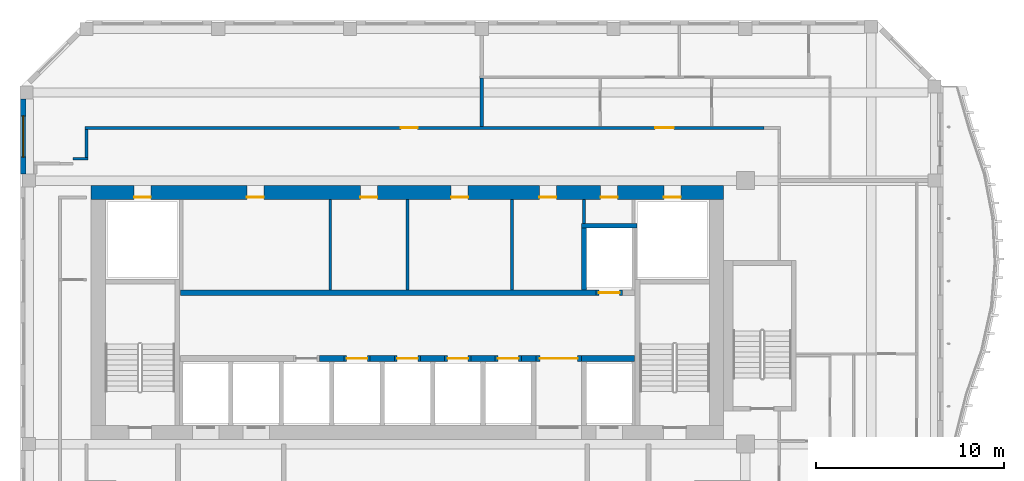
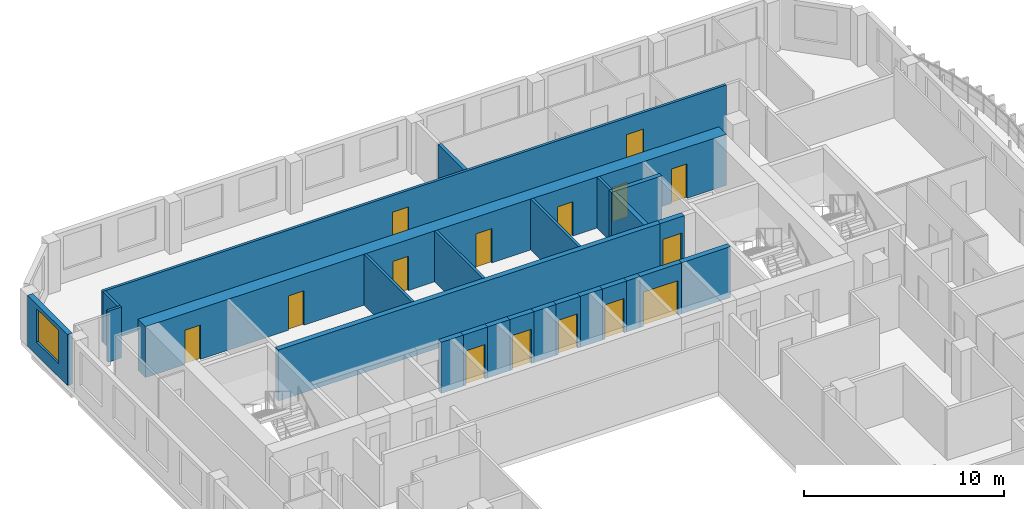
# One storey, part 7 of 18: 25 walls, 15 doors, 1 window, 16 openings.
"""IFC4 building model written with IfcOpenShell, lengths in metres."""

from ifc_helpers import new_model, si_unit, direction, frame, frame_2d, origin, place, context, subcontext, project, spatial, rectangle, extrude, source, transform, mapped, material, layer, layer_set, type_object, element, fill, save


model = new_model("IFC4")

# Units and contexts
model_context = context("Model", 3, precision=1e-05, world=origin(), true_north=direction((0.0, 1.0)))
body_context = subcontext(model_context, "Body", "Model", "MODEL_VIEW")
ifc_project = project(units=[si_unit("LENGTHUNIT", "METRE"), si_unit("AREAUNIT", "SQUARE_METRE"), si_unit("VOLUMEUNIT", "CUBIC_METRE"), si_unit("PLANEANGLEUNIT", "RADIAN"), si_unit("MASSUNIT", "GRAM", prefix="KILO")], contexts=[model_context])

# Site, building, storey
site_placement = place(None, origin())
site = spatial("IfcSite", under=ifc_project, at=site_placement, CompositionType="ELEMENT")
building_placement = place(site_placement, origin())
building = spatial("IfcBuilding", under=site, at=building_placement, Name="Kilnfold Tower and Market Hall", CompositionType="ELEMENT")
storey_placement = place(building_placement, frame((0.0, 0.0, 249.199951171875)))
storey = spatial("IfcBuildingStorey", under=building, at=storey_placement, Name="L60", CompositionType="ELEMENT", Elevation=249.199951171875)

# Walls
ifc_material_1 = material(Name="Gypsum board on steel studs", Category="steel")
ifc_layer_1 = layer(ifc_material_1, 0.14990234375)
ifc_layer_set_1 = layer_set([ifc_layer_1], Name="Gypsum board on steel studs")
wall_type_1 = type_object("IfcWallType", Name="WALL CORRIDOR 150", PredefinedType="PARTITIONING", material=ifc_layer_set_1)
wall_1_placement = place(storey_placement, frame((-15.925048828125, 23.1630859375, 0.0), z_axis=(0.0, 0.0, 1.0), x_axis=(-1.0, 0.0, 0.0)))
element("IfcWall", 1, at=wall_1_placement, inside=storey, type_object=wall_type_1, Name="Partition LY37.24", PredefinedType="PARTITIONING", context=body_context, shape_type="SweptSolid", body=[
    extrude(rectangle(XDim=0.786865234375, YDim=0.14990234375, at=frame_2d((0.3935546875, 0.0))), origin(), (0.0, 0.0, 1.0), 3.1201171875),
])
wall_2_placement = place(storey_placement, frame((-16.0, 23.238037109375, 0.0), z_axis=(0.0, 0.0, 1.0), x_axis=(0.0, 1.0, 0.0)))
element("IfcWall", 2, at=wall_2_placement, inside=storey, type_object=wall_type_1, Name="Partition LY37.25", PredefinedType="PARTITIONING", context=body_context, shape_type="SweptSolid", body=[
    extrude(rectangle(XDim=1.487060546875, YDim=0.14990234375, at=frame_2d((0.74365234375, 0.0))), origin(), (0.0, 0.0, 1.0), 3.1201171875),
])

# Wall, openings, doors
wall_3_placement = place(storey_placement, frame((-16.074951171875, 24.800048828125, 0.0), z_axis=(0.0, 0.0, 1.0), x_axis=(1.0, 0.0, 0.0)))
wall_3 = element("IfcWall", 3, at=wall_3_placement, inside=storey, type_object=wall_type_1, Name="Partition LY37.26", PredefinedType="PARTITIONING", context=body_context, shape_type="SweptSolid", body=[
    extrude(rectangle(XDim=36.072998046875, YDim=0.14990234375, at=frame_2d((18.03662109375, 0.0))), origin(), (0.0, 0.0, 1.0), 3.1201171875),
])
opening_1_placement = place(wall_3_placement, frame((16.77099609375, 0.0, 0.0)))
opening_1 = element("IfcOpeningElement", 4, at=opening_1_placement, cuts=wall_3, Name="Opening D2", PredefinedType="OPENING", context=body_context, shape_type="SweptSolid", body=[
    extrude(rectangle(XDim=0.89990234375, YDim=2.10009765625, at=frame_2d((0.449951171875, 1.050048828125))), frame((0.0, 0.0849609375, 0.0), z_axis=(0.0, -1.0, 0.0), x_axis=(1.0, 0.0, 0.0)), (0.0, 0.0, 1.0), 0.169921875),
])
opening_2_placement = place(wall_3_placement, frame((30.279052734375, 0.0, 0.0)))
opening_2 = element("IfcOpeningElement", 5, at=opening_2_placement, cuts=wall_3, Name="Opening D1", PredefinedType="OPENING", context=body_context, shape_type="SweptSolid", body=[
    extrude(rectangle(XDim=1.0, YDim=2.10009765625, at=frame_2d((0.5, 1.050048828125))), frame((0.0, 0.0849609375, 0.0), z_axis=(0.0, -1.0, 0.0), x_axis=(1.0, 0.0, 0.0)), (0.0, 0.0, 1.0), 0.169921875),
])
ifc_material_2 = material(Name="Timber veneer door leaf in steel frame", Category="steel")
door_type_1 = type_object("IfcDoorType", Name="DOOR ENTRY 1000 X2100", OperationType="NOTDEFINED", PredefinedType="DOOR", material=ifc_material_2)
door_1_placement = place(opening_2_placement, origin())
door_1 = element("IfcDoor", 6, at=door_1_placement, inside=storey, type_object=door_type_1, Name="Door D1", OperationType="SINGLE_SWING_LEFT", OverallHeight=2.10009765625, OverallWidth=1.0, PredefinedType="DOOR", context=body_context, shape_type="SweptSolid", body=[
    extrude(rectangle(XDim=1.0, YDim=2.10009765625, at=frame_2d((0.5, 1.050048828125))), frame((0.0, 0.02490234375, 0.0), z_axis=(0.0, -1.0, 0.0), x_axis=(1.0, 0.0, 0.0)), (0.0, 0.0, 1.0), 0.050048828125),
])
fill(opening_2, door_1)
ifc_material_3 = material(Name="Timber veneer door leaf in steel frame", Category="steel")
door_type_2 = type_object("IfcDoorType", Name="DOOR ROOM 900 X2100", OperationType="NOTDEFINED", PredefinedType="DOOR", material=ifc_material_3)
door_2_placement = place(opening_1_placement, origin())
door_2 = element("IfcDoor", 7, at=door_2_placement, inside=storey, type_object=door_type_2, Name="Door D2", OperationType="SINGLE_SWING_LEFT", OverallHeight=2.10009765625, OverallWidth=0.89990234375, PredefinedType="DOOR", context=body_context, shape_type="SweptSolid", body=[
    extrude(rectangle(XDim=0.89990234375, YDim=2.10009765625, at=frame_2d((0.449951171875, 1.050048828125))), frame((0.0, 0.02490234375, 0.0), z_axis=(0.0, -1.0, 0.0), x_axis=(1.0, 0.0, 0.0)), (0.0, 0.0, 1.0), 0.050048828125),
])
fill(opening_1, door_2)

# Walls
ifc_material_4 = material(Name="Gypsum board on steel studs", Category="steel")
ifc_layer_2 = layer(ifc_material_4, 0.199951171875)
ifc_layer_set_2 = layer_set([ifc_layer_2], Name="Gypsum board on steel studs")
wall_type_2 = type_object("IfcWallType", Name="WALL PARTY 200", PredefinedType="PARTITIONING", material=ifc_layer_set_2)
wall_4_placement = place(storey_placement, frame((5.0, 24.876953125, 0.0), z_axis=(0.0, 0.0, 1.0), x_axis=(0.0, 1.0, 0.0)))
element("IfcWall", 8, at=wall_4_placement, inside=storey, type_object=wall_type_2, Name="Partition LY37.92", PredefinedType="PARTITIONING", context=body_context, shape_type="SweptSolid", body=[
    extrude(rectangle(XDim=2.572998046875, YDim=0.199951171875, at=frame_2d((1.28662109375, 0.0))), origin(), (0.0, 0.0, 1.0), 3.1201171875),
])
ifc_material_5 = material(Name="Concrete C60", Category="concrete")
ifc_layer_3 = layer(ifc_material_5, 0.300048828125)
ifc_layer_set_3 = layer_set([ifc_layer_3], Name="Concrete C60")
wall_type_3 = type_object("IfcWallType", Name="CORE WALL 300 C60", PredefinedType="SHEAR", material=ifc_layer_set_3)
shared_shape_1 = source(origin(), body_context, "Body", "SweptSolid", [
    extrude(rectangle(XDim=1.280029296875, YDim=0.300048828125, at=frame_2d((0.64013671875, 0.0))), origin(), (0.0, 0.0, 1.0), 3.1201171875),
])
for number, where, z_axis, x_axis, name in (
    (9, (-3.610107421875, 12.550048828125, 0.0), (0.0, 0.0, 1.0), (1.0, 0.0, 0.0), "Core spine wall"),
    (10, (-0.929931640625, 12.550048828125, 0.0), (0.0, 0.0, 1.0), (1.0, 0.0, 0.0), "Core spine wall"),
    (11, (1.75, 12.550048828125, 0.0), (0.0, 0.0, 1.0), (1.0, 0.0, 0.0), "Core spine wall"),
    (12, (4.429931640625, 12.550048828125, 0.0), (0.0, 0.0, 1.0), (1.0, 0.0, 0.0), "Core spine wall"),
):
    element("IfcWall", number, at=place(storey_placement, frame(where, z_axis=z_axis, x_axis=x_axis)), inside=storey, type_object=wall_type_3, Name=name, PredefinedType="SHEAR", context=body_context, shape_type="MappedRepresentation", body=[
        mapped(shared_shape_1, transform((0.0, 0.0, 0.0))),
    ])
shared_shape_2 = source(origin(), body_context, "Body", "SweptSolid", [
    extrude(rectangle(XDim=0.77978515625, YDim=0.300048828125, at=frame_2d((0.389892578125, 0.0))), origin(), (0.0, 0.0, 1.0), 3.1201171875),
])
wall_5_placement = place(storey_placement, frame((7.110107421875, 12.550048828125, 0.0), z_axis=(0.0, 0.0, 1.0), x_axis=(1.0, 0.0, 0.0)))
element("IfcWall", 13, at=wall_5_placement, inside=storey, type_object=wall_type_3, Name="Core spine wall", PredefinedType="SHEAR", context=body_context, shape_type="MappedRepresentation", body=[
    mapped(shared_shape_2, transform((0.0, 0.0, 0.0))),
])
shared_shape_3 = source(origin(), body_context, "Body", "SweptSolid", [
    extrude(rectangle(XDim=2.820068359375, YDim=0.300048828125, at=frame_2d((1.41015625, 0.0))), origin(), (0.0, 0.0, 1.0), 3.1201171875),
])
wall_6_placement = place(storey_placement, frame((10.2900390625, 12.550048828125, 0.0), z_axis=(0.0, 0.0, 1.0), x_axis=(1.0, 0.0, 0.0)))
element("IfcWall", 14, at=wall_6_placement, inside=storey, type_object=wall_type_3, Name="Core spine wall", PredefinedType="SHEAR", context=body_context, shape_type="MappedRepresentation", body=[
    mapped(shared_shape_3, transform((0.0, 0.0, 0.0))),
])

# Wall, openings, doors
ifc_material_6 = material(Name="Concrete C60", Category="concrete")
ifc_layer_4 = layer(ifc_material_6, 0.75)
ifc_layer_set_4 = layer_set([ifc_layer_4], Name="Concrete C60")
wall_type_4 = type_object("IfcWallType", Name="CORE WALL 750 C60", PredefinedType="SHEAR", material=ifc_layer_set_4)
shared_shape_4 = source(origin(), body_context, "Body", "SweptSolid", [
    extrude(rectangle(XDim=33.60009765625, YDim=0.75, at=frame_2d((16.800048828125, 0.0))), origin(), (0.0, 0.0, 1.0), 3.1201171875),
])
wall_7_placement = place(storey_placement, frame((-15.75, 21.375, 0.0), z_axis=(0.0, 0.0, 1.0), x_axis=(1.0, 0.0, 0.0)))
wall_7 = element("IfcWall", 15, at=wall_7_placement, inside=storey, type_object=wall_type_4, Name="Core outer wall north", PredefinedType="SHEAR", context=body_context, shape_type="MappedRepresentation", body=[
    mapped(shared_shape_4, transform((0.0, 0.0, 0.0))),
])
opening_3_placement = place(wall_7_placement, frame((8.269775390625, 0.0, 0.0)))
opening_3 = element("IfcOpeningElement", 16, at=opening_3_placement, cuts=wall_7, Name="Opening KD1", PredefinedType="OPENING", context=body_context, shape_type="SweptSolid", body=[
    extrude(rectangle(XDim=0.89990234375, YDim=2.10009765625, at=frame_2d((0.449951171875, 1.050048828125))), frame((0.0, 0.385009765625, 0.0), z_axis=(0.0, -1.0, 0.0), x_axis=(1.0, 0.0, 0.0)), (0.0, 0.0, 1.0), 0.77001953125),
])
opening_4_placement = place(wall_7_placement, frame((14.2998046875, 0.0, 0.0)))
opening_4 = element("IfcOpeningElement", 17, at=opening_4_placement, cuts=wall_7, Name="Opening KD1", PredefinedType="OPENING", context=body_context, shape_type="SweptSolid", body=[
    extrude(rectangle(XDim=0.89990234375, YDim=2.10009765625, at=frame_2d((0.449951171875, 1.050048828125))), frame((0.0, 0.385009765625, 0.0), z_axis=(0.0, -1.0, 0.0), x_axis=(1.0, 0.0, 0.0)), (0.0, 0.0, 1.0), 0.77001953125),
])
opening_5_placement = place(wall_7_placement, frame((19.123779296875, 0.0, 0.0)))
opening_5 = element("IfcOpeningElement", 18, at=opening_5_placement, cuts=wall_7, Name="Opening KD1", PredefinedType="OPENING", context=body_context, shape_type="SweptSolid", body=[
    extrude(rectangle(XDim=0.89990234375, YDim=2.10009765625, at=frame_2d((0.449951171875, 1.050048828125))), frame((0.0, 0.385009765625, 0.0), z_axis=(0.0, -1.0, 0.0), x_axis=(1.0, 0.0, 0.0)), (0.0, 0.0, 1.0), 0.77001953125),
])
opening_6_placement = place(wall_7_placement, frame((23.813720703125, 0.0, 0.0)))
opening_6 = element("IfcOpeningElement", 19, at=opening_6_placement, cuts=wall_7, Name="Opening KD1", PredefinedType="OPENING", context=body_context, shape_type="SweptSolid", body=[
    extrude(rectangle(XDim=0.89990234375, YDim=2.10009765625, at=frame_2d((0.449951171875, 1.050048828125))), frame((0.0, 0.385009765625, 0.0), z_axis=(0.0, -1.0, 0.0), x_axis=(1.0, 0.0, 0.0)), (0.0, 0.0, 1.0), 0.77001953125),
])
opening_7_placement = place(wall_7_placement, frame((27.070068359375, 0.0, 0.0)))
opening_7 = element("IfcOpeningElement", 20, at=opening_7_placement, cuts=wall_7, Name="Opening KD1", PredefinedType="OPENING", context=body_context, shape_type="SweptSolid", body=[
    extrude(rectangle(XDim=0.89990234375, YDim=2.10009765625, at=frame_2d((0.449951171875, 1.050048828125))), frame((0.0, 0.385009765625, 0.0), z_axis=(0.0, -1.0, 0.0), x_axis=(1.0, 0.0, 0.0)), (0.0, 0.0, 1.0), 0.77001953125),
])
opening_8_placement = place(wall_7_placement, frame((2.27490234375, 0.0, 0.0)))
opening_8 = element("IfcOpeningElement", 21, at=opening_8_placement, cuts=wall_7, Name="Opening KD1", PredefinedType="OPENING", context=body_context, shape_type="SweptSolid", body=[
    extrude(rectangle(XDim=0.89990234375, YDim=2.10009765625, at=frame_2d((0.449951171875, 1.050048828125))), frame((0.0, 0.385009765625, 0.0), z_axis=(0.0, -1.0, 0.0), x_axis=(1.0, 0.0, 0.0)), (0.0, 0.0, 1.0), 0.77001953125),
])
opening_9_placement = place(wall_7_placement, frame((30.425048828125, 0.0, 0.0)))
opening_9 = element("IfcOpeningElement", 22, at=opening_9_placement, cuts=wall_7, Name="Opening KD1", PredefinedType="OPENING", context=body_context, shape_type="SweptSolid", body=[
    extrude(rectangle(XDim=0.89990234375, YDim=2.10009765625, at=frame_2d((0.449951171875, 1.050048828125))), frame((0.0, 0.385009765625, 0.0), z_axis=(0.0, -1.0, 0.0), x_axis=(1.0, 0.0, 0.0)), (0.0, 0.0, 1.0), 0.77001953125),
])
ifc_material_7 = material(Name="Steel door set with fire-resisting leaf", Category="steel")
door_type_3 = type_object("IfcDoorType", Name="SERVICE DOOR 900X2100", OperationType="NOTDEFINED", PredefinedType="DOOR", material=ifc_material_7)
door_3_placement = place(opening_3_placement, origin())
door_3 = element("IfcDoor", 23, at=door_3_placement, inside=storey, type_object=door_type_3, Name="Core service door", OperationType="SINGLE_SWING_RIGHT", OverallHeight=2.10009765625, OverallWidth=0.89990234375, PredefinedType="DOOR", context=body_context, shape_type="SweptSolid", body=[
    extrude(rectangle(XDim=0.89990234375, YDim=2.10009765625, at=frame_2d((0.449951171875, 1.050048828125))), frame((0.0, -0.22998046875, 0.0), z_axis=(0.0, -1.0, 0.0), x_axis=(1.0, 0.0, 0.0)), (0.0, 0.0, 1.0), 0.050048828125),
])
fill(opening_3, door_3)
door_4_placement = place(opening_4_placement, origin())
door_4 = element("IfcDoor", 24, at=door_4_placement, inside=storey, type_object=door_type_3, Name="Core service door", OperationType="SINGLE_SWING_LEFT", OverallHeight=2.10009765625, OverallWidth=0.89990234375, PredefinedType="DOOR", context=body_context, shape_type="SweptSolid", body=[
    extrude(rectangle(XDim=0.89990234375, YDim=2.10009765625, at=frame_2d((0.449951171875, 1.050048828125))), frame((0.0, -0.22998046875, 0.0), z_axis=(0.0, -1.0, 0.0), x_axis=(1.0, 0.0, 0.0)), (0.0, 0.0, 1.0), 0.050048828125),
])
fill(opening_4, door_4)
door_5_placement = place(opening_5_placement, origin())
door_5 = element("IfcDoor", 25, at=door_5_placement, inside=storey, type_object=door_type_3, Name="Core service door", OperationType="SINGLE_SWING_RIGHT", OverallHeight=2.10009765625, OverallWidth=0.89990234375, PredefinedType="DOOR", context=body_context, shape_type="SweptSolid", body=[
    extrude(rectangle(XDim=0.89990234375, YDim=2.10009765625, at=frame_2d((0.449951171875, 1.050048828125))), frame((0.0, -0.22998046875, 0.0), z_axis=(0.0, -1.0, 0.0), x_axis=(1.0, 0.0, 0.0)), (0.0, 0.0, 1.0), 0.050048828125),
])
fill(opening_5, door_5)
door_6_placement = place(opening_6_placement, origin())
door_6 = element("IfcDoor", 26, at=door_6_placement, inside=storey, type_object=door_type_3, Name="Core service door", OperationType="SINGLE_SWING_LEFT", OverallHeight=2.10009765625, OverallWidth=0.89990234375, PredefinedType="DOOR", context=body_context, shape_type="SweptSolid", body=[
    extrude(rectangle(XDim=0.89990234375, YDim=2.10009765625, at=frame_2d((0.449951171875, 1.050048828125))), frame((0.0, -0.22998046875, 0.0), z_axis=(0.0, -1.0, 0.0), x_axis=(1.0, 0.0, 0.0)), (0.0, 0.0, 1.0), 0.050048828125),
])
fill(opening_6, door_6)
door_7_placement = place(opening_7_placement, origin())
door_7 = element("IfcDoor", 27, at=door_7_placement, inside=storey, type_object=door_type_3, Name="Core service door", OperationType="SINGLE_SWING_RIGHT", OverallHeight=2.10009765625, OverallWidth=0.89990234375, PredefinedType="DOOR", context=body_context, shape_type="SweptSolid", body=[
    extrude(rectangle(XDim=0.89990234375, YDim=2.10009765625, at=frame_2d((0.449951171875, 1.050048828125))), frame((0.0, -0.22998046875, 0.0), z_axis=(0.0, -1.0, 0.0), x_axis=(1.0, 0.0, 0.0)), (0.0, 0.0, 1.0), 0.050048828125),
])
fill(opening_7, door_7)
door_8_placement = place(opening_8_placement, origin())
door_8 = element("IfcDoor", 28, at=door_8_placement, inside=storey, type_object=door_type_3, Name="Electrical riser access door", OperationType="SINGLE_SWING_LEFT", OverallHeight=2.10009765625, OverallWidth=0.89990234375, PredefinedType="DOOR", context=body_context, shape_type="SweptSolid", body=[
    extrude(rectangle(XDim=0.89990234375, YDim=2.10009765625, at=frame_2d((0.449951171875, 1.050048828125))), frame((0.0, -0.22998046875, 0.0), z_axis=(0.0, -1.0, 0.0), x_axis=(1.0, 0.0, 0.0)), (0.0, 0.0, 1.0), 0.050048828125),
])
fill(opening_8, door_8)
door_9_placement = place(opening_9_placement, origin())
door_9 = element("IfcDoor", 29, at=door_9_placement, inside=storey, type_object=door_type_3, Name="Mechanical riser access door", OperationType="SINGLE_SWING_RIGHT", OverallHeight=2.10009765625, OverallWidth=0.89990234375, PredefinedType="DOOR", context=body_context, shape_type="SweptSolid", body=[
    extrude(rectangle(XDim=0.89990234375, YDim=2.10009765625, at=frame_2d((0.449951171875, 1.050048828125))), frame((0.0, -0.22998046875, 0.0), z_axis=(0.0, -1.0, 0.0), x_axis=(1.0, 0.0, 0.0)), (0.0, 0.0, 1.0), 0.050048828125),
])
fill(opening_9, door_9)

# Wall
shared_shape_5 = source(origin(), body_context, "Body", "SweptSolid", [
    extrude(rectangle(XDim=22.080078125, YDim=0.300048828125, at=frame_2d((11.0400390625, 0.0))), origin(), (0.0, 0.0, 1.0), 3.1201171875),
])
wall_8_placement = place(storey_placement, frame((-11.010009765625, 16.050048828125, 0.0), z_axis=(0.0, 0.0, 1.0), x_axis=(1.0, 0.0, 0.0)))
element("IfcWall", 30, at=wall_8_placement, inside=storey, type_object=wall_type_3, Name="Core spine wall", PredefinedType="SHEAR", context=body_context, shape_type="MappedRepresentation", body=[
    mapped(shared_shape_5, transform((0.0, 0.0, 0.0))),
])

# Wall, opening, window
ifc_material_8 = material(Name="Precast concrete C50/60", Category="concrete")
ifc_layer_5 = layer(ifc_material_8, 0.300048828125)
ifc_layer_set_5 = layer_set([ifc_layer_5], Name="Precast concrete C50/60")
wall_type_5 = type_object("IfcWallType", Name="PRECAST WALL 300", PredefinedType="SOLIDWALL", material=ifc_layer_set_5)
shared_shape_6 = source(origin(), body_context, "Body", "SweptSolid", [
    extrude(rectangle(XDim=3.981689453125, YDim=0.300048828125, at=frame_2d((1.99072265625, 0.0))), origin(), (0.0, 0.0, 1.0), 3.1201171875),
])
wall_9_placement = place(storey_placement, frame((-19.35009765625, 26.331787109375, 0.0), z_axis=(0.0, 0.0, 1.0), x_axis=(0.0, -1.0, 0.0)))
wall_9 = element("IfcWall", 31, at=wall_9_placement, inside=storey, type_object=wall_type_5, Name="External wall L60 W", PredefinedType="SOLIDWALL", context=body_context, shape_type="MappedRepresentation", body=[
    mapped(shared_shape_6, transform((0.0, 0.0, 0.0))),
])
opening_10_placement = place(wall_9_placement, frame((0.890869140625, 0.0, 0.800048828125)))
opening_10 = element("IfcOpeningElement", 32, at=opening_10_placement, cuts=wall_9, Name="Opening W3", PredefinedType="OPENING", context=body_context, shape_type="SweptSolid", body=[
    extrude(rectangle(XDim=2.199951171875, YDim=2.050048828125, at=frame_2d((1.10009765625, 1.02490234375))), frame((0.0, 0.16015625, 0.0), z_axis=(0.0, -1.0, 0.0), x_axis=(1.0, 0.0, 0.0)), (0.0, 0.0, 1.0), 0.320068359375),
])
ifc_material_9 = material(Name="Aluminium frame and double glazing", Category="aluminium")
window_type = type_object("IfcWindowType", Name="WINDOW W3 2200X2050", PartitioningType="SINGLE_PANEL", PredefinedType="WINDOW", material=ifc_material_9)
window_placement = place(opening_10_placement, origin())
window = element("IfcWindow", 33, at=window_placement, inside=storey, type_object=window_type, Name="Window W3 L60 W-1", OverallHeight=2.050048828125, OverallWidth=2.199951171875, PartitioningType="SINGLE_PANEL", PredefinedType="WINDOW", context=body_context, shape_type="SweptSolid", body=[
    extrude(rectangle(XDim=2.199951171875, YDim=2.050048828125, at=frame_2d((1.10009765625, 1.02490234375))), frame((0.0, 0.030029296875, 0.0), z_axis=(0.0, -1.0, 0.0), x_axis=(1.0, 0.0, 0.0)), (0.0, 0.0, 1.0), 0.06005859375),
])
fill(opening_10, window)

# Wall, opening, door
ifc_material_10 = material(Name="Gypsum shaft wall system")
ifc_layer_6 = layer(ifc_material_10, 0.300048828125)
ifc_layer_set_6 = layer_set([ifc_layer_6], Name="Gypsum shaft wall system")
wall_type_6 = type_object("IfcWallType", Name="SHAFT WALL 300", PredefinedType="PARTITIONING", material=ifc_layer_set_6)
shared_shape_7 = source(origin(), body_context, "Body", "SweptSolid", [
    extrude(rectangle(XDim=1.39990234375, YDim=0.300048828125, at=frame_2d((0.699951171875, 0.0))), origin(), (0.0, 0.0, 1.0), 3.1201171875),
])
wall_10_placement = place(storey_placement, frame((0.35009765625, 12.550048828125, 0.0), z_axis=(0.0, 0.0, 1.0), x_axis=(1.0, 0.0, 0.0)))
wall_10 = element("IfcWall", 34, at=wall_10_placement, inside=storey, type_object=wall_type_6, Name="Lift shaft front wall", PredefinedType="PARTITIONING", context=body_context, shape_type="MappedRepresentation", body=[
    mapped(shared_shape_7, transform((0.0, 0.0, 0.0))),
])
opening_11_placement = place(wall_10_placement, frame((0.14990234375, 0.0, 0.0)))
opening_11 = element("IfcOpeningElement", 35, at=opening_11_placement, cuts=wall_10, Name="Opening LD2", PredefinedType="OPENING", context=body_context, shape_type="SweptSolid", body=[
    extrude(rectangle(XDim=1.10009765625, YDim=2.10009765625, at=frame_2d((0.550048828125, 1.050048828125))), frame((0.0, 0.16015625, 0.0), z_axis=(0.0, -1.0, 0.0), x_axis=(1.0, 0.0, 0.0)), (0.0, 0.0, 1.0), 0.320068359375),
])
ifc_material_11 = material(Name="Steel door set with fire-resisting leaf", Category="steel")
door_type_4 = type_object("IfcDoorType", Name="LANDING DOOR 1100X2100", OperationType="NOTDEFINED", PredefinedType="DOOR", material=ifc_material_11)
door_10_placement = place(opening_11_placement, origin())
door_10 = element("IfcDoor", 36, at=door_10_placement, inside=storey, type_object=door_type_4, Name="Landing door HR3", OperationType="DOUBLE_DOOR_SLIDING", OverallHeight=2.10009765625, OverallWidth=1.10009765625, PredefinedType="DOOR", context=body_context, shape_type="SweptSolid", body=[
    extrude(rectangle(XDim=1.10009765625, YDim=2.10009765625, at=frame_2d((0.550048828125, 1.050048828125))), frame((0.0, 0.02490234375, 0.0), z_axis=(0.0, -1.0, 0.0), x_axis=(1.0, 0.0, 0.0)), (0.0, 0.0, 1.0), 0.050048828125),
])
fill(opening_11, door_10)

wall_11_placement = place(storey_placement, frame((3.030029296875, 12.550048828125, 0.0), z_axis=(0.0, 0.0, 1.0), x_axis=(1.0, 0.0, 0.0)))
wall_11 = element("IfcWall", 37, at=wall_11_placement, inside=storey, type_object=wall_type_6, Name="Lift shaft front wall", PredefinedType="PARTITIONING", context=body_context, shape_type="MappedRepresentation", body=[
    mapped(shared_shape_7, transform((0.0, 0.0, 0.0))),
])
opening_12_placement = place(wall_11_placement, frame((0.14990234375, 0.0, 0.0)))
opening_12 = element("IfcOpeningElement", 38, at=opening_12_placement, cuts=wall_11, Name="Opening LD2", PredefinedType="OPENING", context=body_context, shape_type="SweptSolid", body=[
    extrude(rectangle(XDim=1.10009765625, YDim=2.10009765625, at=frame_2d((0.550048828125, 1.050048828125))), frame((0.0, 0.16015625, 0.0), z_axis=(0.0, -1.0, 0.0), x_axis=(1.0, 0.0, 0.0)), (0.0, 0.0, 1.0), 0.320068359375),
])
door_11_placement = place(opening_12_placement, origin())
door_11 = element("IfcDoor", 39, at=door_11_placement, inside=storey, type_object=door_type_4, Name="Landing door HR4", OperationType="DOUBLE_DOOR_SLIDING", OverallHeight=2.10009765625, OverallWidth=1.10009765625, PredefinedType="DOOR", context=body_context, shape_type="SweptSolid", body=[
    extrude(rectangle(XDim=1.10009765625, YDim=2.10009765625, at=frame_2d((0.550048828125, 1.050048828125))), frame((0.0, 0.02490234375, 0.0), z_axis=(0.0, -1.0, 0.0), x_axis=(1.0, 0.0, 0.0)), (0.0, 0.0, 1.0), 0.050048828125),
])
fill(opening_12, door_11)

wall_12_placement = place(storey_placement, frame((11.070068359375, 16.050048828125, 0.0), z_axis=(0.0, 0.0, 1.0), x_axis=(1.0, 0.0, 0.0)))
wall_12 = element("IfcWall", 40, at=wall_12_placement, inside=storey, type_object=wall_type_6, Name="Lift shaft front wall", PredefinedType="PARTITIONING", context=body_context, shape_type="MappedRepresentation", body=[
    mapped(shared_shape_7, transform((0.0, 0.0, 0.0))),
])
opening_13_placement = place(wall_12_placement, frame((0.14990234375, 0.0, 0.0)))
opening_13 = element("IfcOpeningElement", 41, at=opening_13_placement, cuts=wall_12, Name="Opening LD2", PredefinedType="OPENING", context=body_context, shape_type="SweptSolid", body=[
    extrude(rectangle(XDim=1.10009765625, YDim=2.10009765625, at=frame_2d((0.550048828125, 1.050048828125))), frame((0.0, 0.16015625, 0.0), z_axis=(0.0, -1.0, 0.0), x_axis=(1.0, 0.0, 0.0)), (0.0, 0.0, 1.0), 0.320068359375),
])
door_12_placement = place(opening_13_placement, origin())
door_12 = element("IfcDoor", 42, at=door_12_placement, inside=storey, type_object=door_type_4, Name="Landing door HR6", OperationType="DOUBLE_DOOR_SLIDING", OverallHeight=2.10009765625, OverallWidth=1.10009765625, PredefinedType="DOOR", context=body_context, shape_type="SweptSolid", body=[
    extrude(rectangle(XDim=1.10009765625, YDim=2.10009765625, at=frame_2d((0.550048828125, 1.050048828125))), frame((0.0, 0.02490234375, 0.0), z_axis=(0.0, -1.0, 0.0), x_axis=(1.0, 0.0, 0.0)), (0.0, 0.0, 1.0), 0.050048828125),
])
fill(opening_13, door_12)

shared_shape_8 = source(origin(), body_context, "Body", "SweptSolid", [
    extrude(rectangle(XDim=1.400146484375, YDim=0.300048828125, at=frame_2d((0.7001953125, 0.0))), origin(), (0.0, 0.0, 1.0), 3.1201171875),
])
wall_13_placement = place(storey_placement, frame((-2.330078125, 12.550048828125, 0.0), z_axis=(0.0, 0.0, 1.0), x_axis=(1.0, 0.0, 0.0)))
wall_13 = element("IfcWall", 43, at=wall_13_placement, inside=storey, type_object=wall_type_6, Name="Lift shaft front wall", PredefinedType="PARTITIONING", context=body_context, shape_type="MappedRepresentation", body=[
    mapped(shared_shape_8, transform((0.0, 0.0, 0.0))),
])
opening_14_placement = place(wall_13_placement, frame((0.14990234375, 0.0, 0.0)))
opening_14 = element("IfcOpeningElement", 44, at=opening_14_placement, cuts=wall_13, Name="Opening LD2", PredefinedType="OPENING", context=body_context, shape_type="SweptSolid", body=[
    extrude(rectangle(XDim=1.10009765625, YDim=2.10009765625, at=frame_2d((0.550048828125, 1.050048828125))), frame((0.0, 0.16015625, 0.0), z_axis=(0.0, -1.0, 0.0), x_axis=(1.0, 0.0, 0.0)), (0.0, 0.0, 1.0), 0.320068359375),
])
door_13_placement = place(opening_14_placement, origin())
door_13 = element("IfcDoor", 45, at=door_13_placement, inside=storey, type_object=door_type_4, Name="Landing door HR2", OperationType="DOUBLE_DOOR_SLIDING", OverallHeight=2.10009765625, OverallWidth=1.10009765625, PredefinedType="DOOR", context=body_context, shape_type="SweptSolid", body=[
    extrude(rectangle(XDim=1.10009765625, YDim=2.10009765625, at=frame_2d((0.550048828125, 1.050048828125))), frame((0.0, 0.02490234375, 0.0), z_axis=(0.0, -1.0, 0.0), x_axis=(1.0, 0.0, 0.0)), (0.0, 0.0, 1.0), 0.050048828125),
])
fill(opening_14, door_13)

wall_14_placement = place(storey_placement, frame((5.7099609375, 12.550048828125, 0.0), z_axis=(0.0, 0.0, 1.0), x_axis=(1.0, 0.0, 0.0)))
wall_14 = element("IfcWall", 46, at=wall_14_placement, inside=storey, type_object=wall_type_6, Name="Lift shaft front wall", PredefinedType="PARTITIONING", context=body_context, shape_type="MappedRepresentation", body=[
    mapped(shared_shape_8, transform((0.0, 0.0, 0.0))),
])
opening_15_placement = place(wall_14_placement, frame((0.14990234375, 0.0, 0.0)))
opening_15 = element("IfcOpeningElement", 47, at=opening_15_placement, cuts=wall_14, Name="Opening LD2", PredefinedType="OPENING", context=body_context, shape_type="SweptSolid", body=[
    extrude(rectangle(XDim=1.10009765625, YDim=2.10009765625, at=frame_2d((0.550048828125, 1.050048828125))), frame((0.0, 0.16015625, 0.0), z_axis=(0.0, -1.0, 0.0), x_axis=(1.0, 0.0, 0.0)), (0.0, 0.0, 1.0), 0.320068359375),
])
door_14_placement = place(opening_15_placement, origin())
door_14 = element("IfcDoor", 48, at=door_14_placement, inside=storey, type_object=door_type_4, Name="Landing door HR5", OperationType="DOUBLE_DOOR_SLIDING", OverallHeight=2.10009765625, OverallWidth=1.10009765625, PredefinedType="DOOR", context=body_context, shape_type="SweptSolid", body=[
    extrude(rectangle(XDim=1.10009765625, YDim=2.10009765625, at=frame_2d((0.550048828125, 1.050048828125))), frame((0.0, 0.02490234375, 0.0), z_axis=(0.0, -1.0, 0.0), x_axis=(1.0, 0.0, 0.0)), (0.0, 0.0, 1.0), 0.050048828125),
])
fill(opening_15, door_14)

shared_shape_9 = source(origin(), body_context, "Body", "SweptSolid", [
    extrude(rectangle(XDim=2.400146484375, YDim=0.300048828125, at=frame_2d((1.2001953125, 0.0))), origin(), (0.0, 0.0, 1.0), 3.1201171875),
])
wall_15_placement = place(storey_placement, frame((7.889892578125, 12.550048828125, 0.0), z_axis=(0.0, 0.0, 1.0), x_axis=(1.0, 0.0, 0.0)))
wall_15 = element("IfcWall", 49, at=wall_15_placement, inside=storey, type_object=wall_type_6, Name="Lift shaft front wall", PredefinedType="PARTITIONING", context=body_context, shape_type="MappedRepresentation", body=[
    mapped(shared_shape_9, transform((0.0, 0.0, 0.0))),
])
opening_16_placement = place(wall_15_placement, frame((0.199951171875, 0.0, 0.0)))
opening_16 = element("IfcOpeningElement", 50, at=opening_16_placement, cuts=wall_15, Name="Opening VD2", PredefinedType="OPENING", context=body_context, shape_type="SweptSolid", body=[
    extrude(rectangle(XDim=2.0, YDim=2.10009765625, at=frame_2d((1.0, 1.050048828125))), frame((0.0, 0.16015625, 0.0), z_axis=(0.0, -1.0, 0.0), x_axis=(1.0, 0.0, 0.0)), (0.0, 0.0, 1.0), 0.320068359375),
])
ifc_material_12 = material(Name="Steel door set with fire-resisting leaf", Category="steel")
door_type_5 = type_object("IfcDoorType", Name="LIFT LOBBY ENTRANCE DOOR 2000X2100", OperationType="NOTDEFINED", PredefinedType="DOOR", material=ifc_material_12)
door_15_placement = place(opening_16_placement, origin())
door_15 = element("IfcDoor", 51, at=door_15_placement, inside=storey, type_object=door_type_5, Name="Lift lobby entrance door", OperationType="DOUBLE_DOOR_SINGLE_SWING", OverallHeight=2.10009765625, OverallWidth=2.0, PredefinedType="DOOR", context=body_context, shape_type="SweptSolid", body=[
    extrude(rectangle(XDim=2.0, YDim=2.10009765625, at=frame_2d((1.0, 1.050048828125))), frame((0.0, 0.02490234375, 0.0), z_axis=(0.0, -1.0, 0.0), x_axis=(1.0, 0.0, 0.0)), (0.0, 0.0, 1.0), 0.050048828125),
])
fill(opening_16, door_15)

# Walls
ifc_material_13 = material(Name="Gypsum shaft wall system")
ifc_layer_7 = layer(ifc_material_13, 0.25)
ifc_layer_set_7 = layer_set([ifc_layer_7], Name="Gypsum shaft wall system")
wall_type_7 = type_object("IfcWallType", Name="SHAFT WALL 250", PredefinedType="PARTITIONING", material=ifc_layer_set_7)
shared_shape_10 = source(origin(), body_context, "Body", "SweptSolid", [
    extrude(rectangle(XDim=3.275146484375, YDim=0.25, at=frame_2d((1.6376953125, 0.0))), origin(), (0.0, 0.0, 1.0), 3.1201171875),
])
wall_16_placement = place(storey_placement, frame((10.429931640625, 16.199951171875, 0.0), z_axis=(0.0, 0.0, 1.0), x_axis=(0.0, 1.0, 0.0)))
element("IfcWall", 52, at=wall_16_placement, inside=storey, type_object=wall_type_7, Name="Lift shaft wall", PredefinedType="PARTITIONING", context=body_context, shape_type="MappedRepresentation", body=[
    mapped(shared_shape_10, transform((0.0, 0.0, 0.0))),
])
ifc_material_14 = material(Name="Gypsum shaft wall system")
ifc_layer_8 = layer(ifc_material_14, 0.14990234375)
ifc_layer_set_8 = layer_set([ifc_layer_8], Name="Gypsum shaft wall system")
wall_type_8 = type_object("IfcWallType", Name="ROOM WALL 150", PredefinedType="PARTITIONING", material=ifc_layer_set_8)
shared_shape_11 = source(origin(), body_context, "Body", "SweptSolid", [
    extrude(rectangle(XDim=4.800048828125, YDim=0.14990234375, at=frame_2d((2.39990234375, 0.0))), origin(), (0.0, 0.0, 1.0), 3.1201171875),
])
for number, where, z_axis, x_axis, name in (
    (53, (-3.05029296875, 16.199951171875, 0.0), (0.0, 0.0, 1.0), (0.0, 1.0, 0.0), "Core room wall"),
    (54, (1.050048828125, 16.199951171875, 0.0), (0.0, 0.0, 1.0), (0.0, 1.0, 0.0), "Core room wall"),
    (55, (6.59765625, 16.199951171875, 0.0), (0.0, 0.0, 1.0), (0.0, 1.0, 0.0), "Core room wall"),
):
    element("IfcWall", number, at=place(storey_placement, frame(where, z_axis=z_axis, x_axis=x_axis)), inside=storey, type_object=wall_type_8, Name=name, PredefinedType="PARTITIONING", context=body_context, shape_type="MappedRepresentation", body=[
        mapped(shared_shape_11, transform((0.0, 0.0, 0.0))),
    ])
shared_shape_12 = source(origin(), body_context, "Body", "SweptSolid", [
    extrude(rectangle(XDim=1.27490234375, YDim=0.14990234375, at=frame_2d((0.637451171875, 0.0))), origin(), (0.0, 0.0, 1.0), 3.1201171875),
])
wall_17_placement = place(storey_placement, frame((10.429931640625, 19.72509765625, 0.0), z_axis=(0.0, 0.0, 1.0), x_axis=(0.0, 1.0, 0.0)))
element("IfcWall", 56, at=wall_17_placement, inside=storey, type_object=wall_type_8, Name="Core room wall", PredefinedType="PARTITIONING", context=body_context, shape_type="MappedRepresentation", body=[
    mapped(shared_shape_12, transform((0.0, 0.0, 0.0))),
])
shared_shape_13 = source(origin(), body_context, "Body", "SweptSolid", [
    extrude(rectangle(XDim=2.93017578125, YDim=0.25, at=frame_2d((1.465087890625, 0.0))), origin(), (0.0, 0.0, 1.0), 3.1201171875),
])
wall_18_placement = place(storey_placement, frame((10.304931640625, 19.60009765625, 0.0), z_axis=(0.0, 0.0, 1.0), x_axis=(1.0, 0.0, 0.0)))
element("IfcWall", 57, at=wall_18_placement, inside=storey, type_object=wall_type_7, Name="Lift shaft wall", PredefinedType="PARTITIONING", context=body_context, shape_type="MappedRepresentation", body=[
    mapped(shared_shape_13, transform((0.0, 0.0, 0.0))),
])

save(model, "model.ifc")
